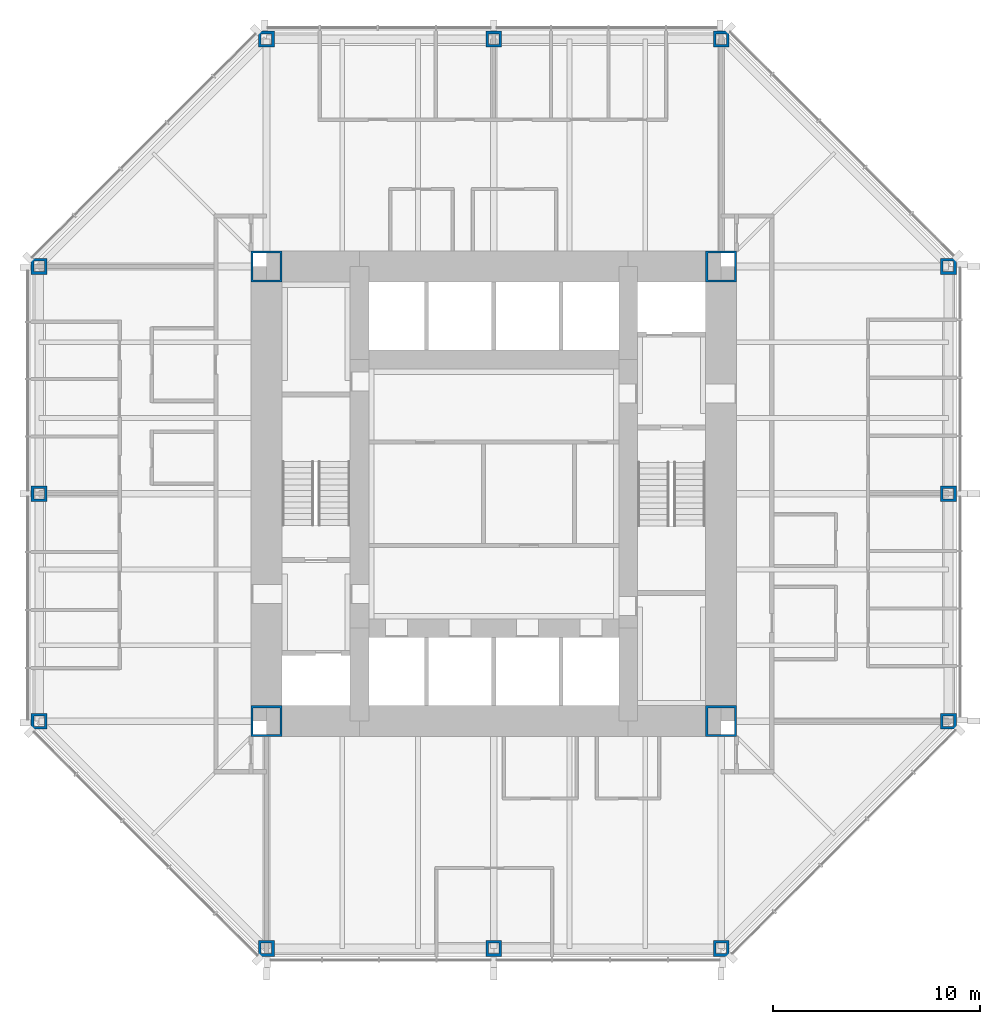
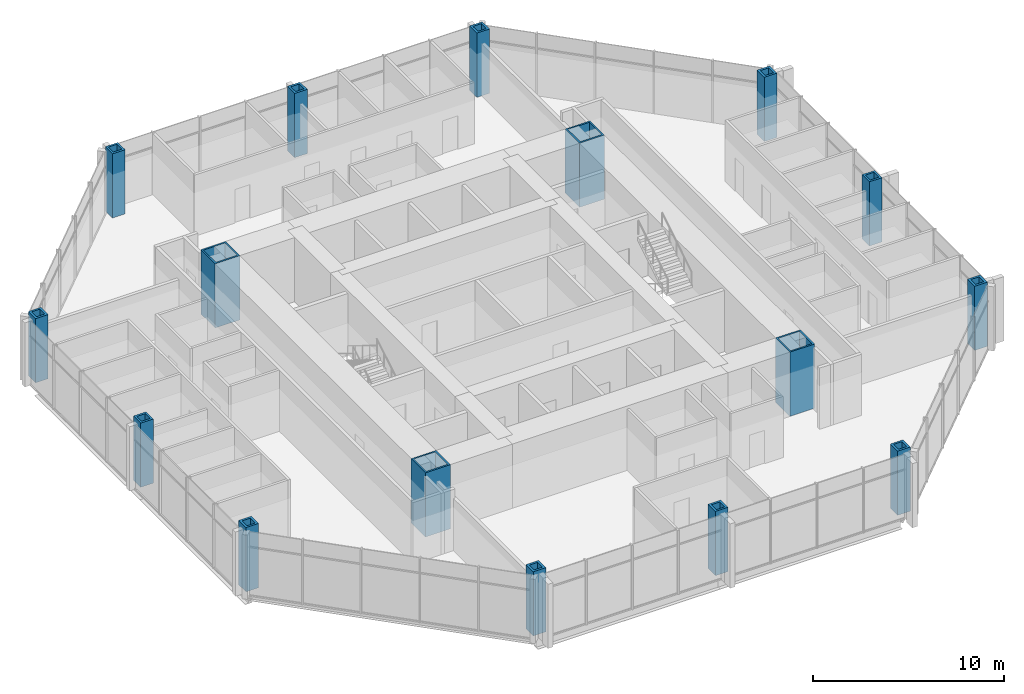
# One storey, part 1 of 14: 16 columns.
"""IFC4 building model written with IfcOpenShell, lengths in metres."""

from ifc_helpers import new_model, si_unit, direction, frame, origin, origin_2d, place, context, subcontext, project, spatial, hollow_rectangle, extrude, material, material_profile, profile_set, type_object, element, save


model = new_model("IFC4")

# Units and contexts
model_context = context("Model", 3, precision=1e-05, world=origin(), true_north=direction((0.0, 1.0)))
body_context = subcontext(model_context, "Body", "Model", "MODEL_VIEW")
ifc_project = project(units=[si_unit("LENGTHUNIT", "METRE"), si_unit("AREAUNIT", "SQUARE_METRE"), si_unit("VOLUMEUNIT", "CUBIC_METRE"), si_unit("PLANEANGLEUNIT", "RADIAN"), si_unit("MASSUNIT", "GRAM", prefix="KILO")], contexts=[model_context])

# Site, building, storey
site_placement = place(None, origin())
site = spatial("IfcSite", under=ifc_project, at=site_placement, CompositionType="ELEMENT")
building_placement = place(site_placement, origin())
building = spatial("IfcBuilding", under=site, at=building_placement, Name="Trevanion Tower", CompositionType="ELEMENT")
storey_placement = place(building_placement, frame((0.0, 0.0, 109.0)))
storey = spatial("IfcBuildingStorey", under=building, at=storey_placement, Name="L25", CompositionType="ELEMENT", Elevation=109.0)

# Columns
ifc_material_1 = material(Name="Steel ASTM A588 Grade 50", Category="steel")
ifc_material_profile_1 = material_profile(ifc_material_1, hollow_rectangle(XDim=0.761962890625, YDim=0.761962890625, WallThickness=0.126953125, at=origin_2d()), Name="BOX30X30X5")
ifc_profile_set_1 = profile_set([ifc_material_profile_1], Name="Steel ASTM A588 Grade 50")
column_type_1 = type_object("IfcColumnType", Name="C4 BOX30X30X5", PredefinedType="COLUMN", material=ifc_profile_set_1)
for number, where, z_axis, x_axis, name in (
    (1, (-22.0, 0.0, 0.0), (0.0, 0.0, 1.0), (0.0, 1.0, 0.0), "C4 4/H L25"),
    (2, (-22.0, -11.0, 0.0), (0.0, 0.0, 1.0), (0.0, 1.0, 0.0), "C4 4/F L25"),
    (3, (-11.0, -22.0, 0.0), (0.0, 0.0, 1.0), (1.0, 0.0, 0.0), "C4 8/B L25"),
    (4, (0.0, -22.0, 0.0), (0.0, 0.0, 1.0), (1.0, 0.0, 0.0), "C4 10/B L25"),
    (5, (11.0, -22.0, 0.0), (0.0, 0.0, 1.0), (1.0, 0.0, 0.0), "C4 12/B L25"),
    (6, (22.0, -11.0, 0.0), (0.0, 0.0, 1.0), (0.0, 1.0, 0.0), "C4 16/F L25"),
    (7, (22.0, 0.0, 0.0), (0.0, 0.0, 1.0), (0.0, 1.0, 0.0), "C4 16/H L25"),
    (8, (22.0, 11.0, 0.0), (0.0, 0.0, 1.0), (0.0, 1.0, 0.0), "C4 16/K L25"),
    (9, (11.0, 22.0, 0.0), (0.0, 0.0, 1.0), (1.0, 0.0, 0.0), "C4 12/P L25"),
    (10, (0.0, 22.0, 0.0), (0.0, 0.0, 1.0), (1.0, 0.0, 0.0), "C4 10/P L25"),
    (11, (-11.0, 22.0, 0.0), (0.0, 0.0, 1.0), (1.0, 0.0, 0.0), "C4 8/P L25"),
    (12, (-22.0, 11.0, 0.0), (0.0, 0.0, 1.0), (0.0, 1.0, 0.0), "C4 4/K L25"),
):
    element("IfcColumn", number, at=place(storey_placement, frame(where, z_axis=z_axis, x_axis=x_axis)), inside=storey, type_object=column_type_1, Name=name, PredefinedType="COLUMN", context=body_context, shape_type="SweptSolid", body=[
        extrude(hollow_rectangle(XDim=0.761962890625, YDim=0.761962890625, WallThickness=0.126953125, at=origin_2d()), origin(), (0.0, 0.0, 1.0), 4.10009765625),
    ])
ifc_material_2 = material(Name="Steel ASTM A572 Grade 50", Category="steel")
ifc_material_profile_2 = material_profile(ifc_material_2, hollow_rectangle(XDim=1.49853515625, YDim=1.49853515625, WallThickness=0.1015625, at=origin_2d()), Name="BOX59X59X4")
ifc_profile_set_2 = profile_set([ifc_material_profile_2], Name="Steel ASTM A572 Grade 50")
column_type_2 = type_object("IfcColumnType", Name="CB1 BOX59X59X4", PredefinedType="COLUMN", material=ifc_profile_set_2)
for number, where, z_axis, x_axis, name in (
    (13, (11.0, 11.0, 0.0), (0.0, 0.0, 1.0), (1.0, 0.0, 0.0), "CB1 NE L25"),
    (14, (-11.0, 11.0, 0.0), (0.0, 0.0, 1.0), (1.0, 0.0, 0.0), "CB1 NW L25"),
    (15, (-11.0, -11.0, 0.0), (0.0, 0.0, 1.0), (1.0, 0.0, 0.0), "CB1 SW L25"),
    (16, (11.0, -11.0, 0.0), (0.0, 0.0, 1.0), (1.0, 0.0, 0.0), "CB1 SE L25"),
):
    element("IfcColumn", number, at=place(storey_placement, frame(where, z_axis=z_axis, x_axis=x_axis)), inside=storey, type_object=column_type_2, Name=name, PredefinedType="COLUMN", context=body_context, shape_type="SweptSolid", body=[
        extrude(hollow_rectangle(XDim=1.49853515625, YDim=1.49853515625, WallThickness=0.1015625, at=origin_2d()), origin(), (0.0, 0.0, 1.0), 4.10009765625),
    ])

save(model, "model.ifc")
